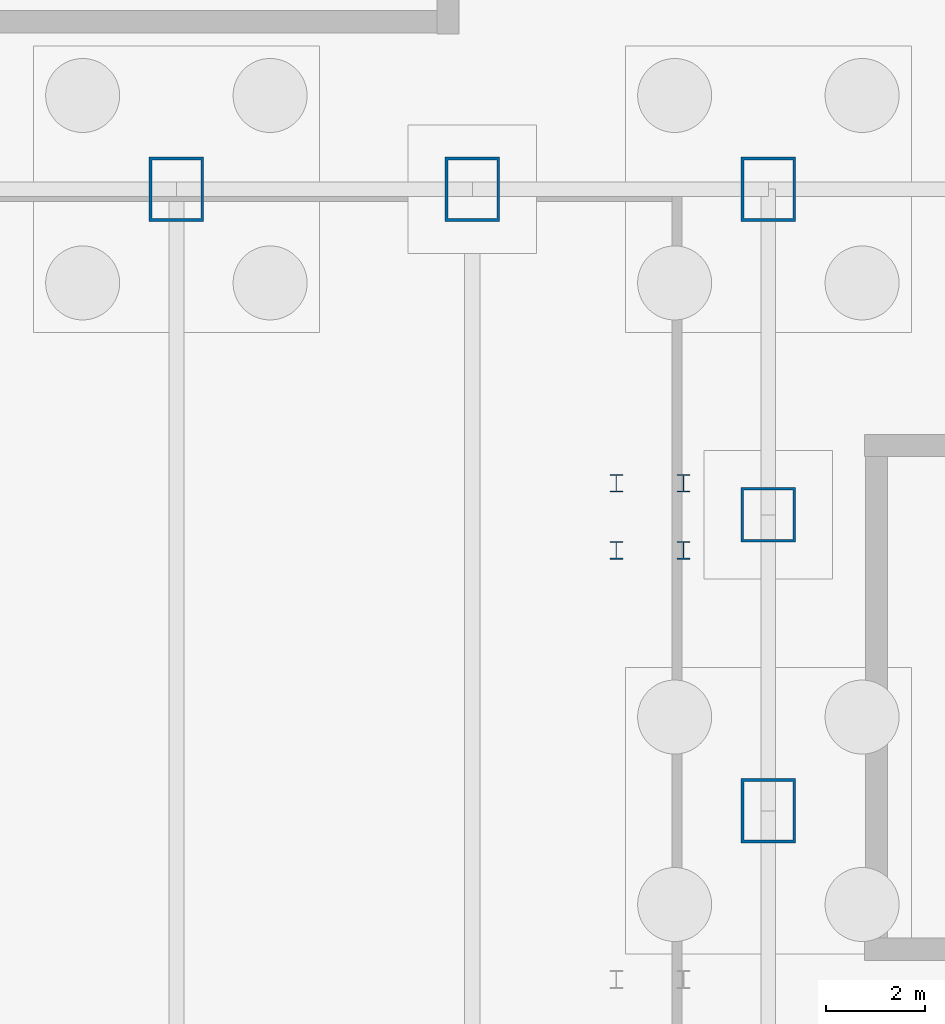
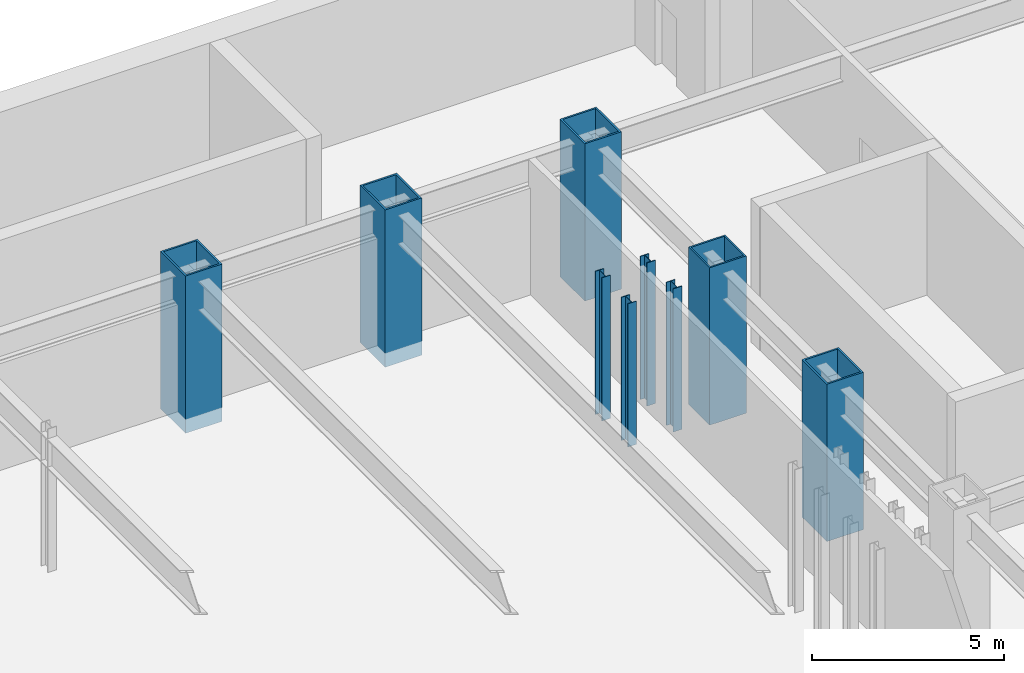
# One storey, part 6 of 17: 9 columns.
"""IFC4 building model written with IfcOpenShell, lengths in metres."""

from ifc_helpers import new_model, si_unit, derived_unit, direction, frame, origin, origin_2d, place, context, subcontext, project, spatial, hollow_rectangle, i_section, extrude, source, transform, mapped, material, material_profile, profile_set, type_object, element, save


model = new_model("IFC4")

# Units and contexts
model_context = context("Model", 3, precision=1e-05, world=origin(), true_north=direction((0.0, 1.0)))
body_context = subcontext(model_context, "Body", "Model", "MODEL_VIEW")
ifc_project = project(units=[si_unit("LENGTHUNIT", "METRE"), si_unit("AREAUNIT", "SQUARE_METRE"), si_unit("VOLUMEUNIT", "CUBIC_METRE"), si_unit("PLANEANGLEUNIT", "RADIAN"), si_unit("MASSUNIT", "GRAM", prefix="KILO"), derived_unit("THERMALTRANSMITTANCEUNIT", [(si_unit("POWERUNIT", "WATT"), 1), (si_unit("LENGTHUNIT", "METRE"), -2), (si_unit("THERMODYNAMICTEMPERATUREUNIT", "KELVIN"), -1)])], contexts=[model_context])

# Site, building, storey
site_placement = place(None, origin())
site = spatial("IfcSite", under=ifc_project, at=site_placement, CompositionType="ELEMENT")
building_placement = place(site_placement, origin())
building = spatial("IfcBuilding", under=site, at=building_placement, Name="Skarnbrae Concourse Arena and Tower", CompositionType="ELEMENT")
storey_placement = place(building_placement, frame((0.0, 0.0, -10.0)))
storey = spatial("IfcBuildingStorey", under=building, at=storey_placement, Name="B02", CompositionType="ELEMENT", Elevation=-10.0)

# Columns
ifc_material = material(Name="Steel CSA G40.21 350W", Category="steel")
ifc_material_profile_1 = material_profile(ifc_material, hollow_rectangle(XDim=1.10009765625, YDim=1.10009765625, WallThickness=0.050048828125, at=origin_2d()), Name="BOX1100X1100X50")
ifc_profile_set_1 = profile_set([ifc_material_profile_1], Name="Steel CSA G40.21 350W")
column_type_1 = type_object("IfcColumnType", Name="COL-MEGA-BOX1100", PredefinedType="PILASTER", material=ifc_profile_set_1)
shared_shape_1 = source(origin(), body_context, "Body", "SweptSolid", [
    extrude(hollow_rectangle(XDim=1.10009765625, YDim=1.10009765625, WallThickness=0.050048828125, at=origin_2d()), origin(), (0.0, 0.0, 1.0), 5.0),
])
column_placement = place(storey_placement, frame((61.0, 40.39990234375, 0.0), z_axis=(0.0, 0.0, 1.0), x_axis=(1.0, 0.0, 0.0)))
element("IfcColumn", 1, at=column_placement, inside=storey, type_object=column_type_1, Name="B02 Podium mega-column MC-E4", PredefinedType="PILASTER", context=body_context, shape_type="MappedRepresentation", body=[
    mapped(shared_shape_1, transform((0.0, 0.0, 0.0))),
])
ifc_material_profile_2 = material_profile(ifc_material, hollow_rectangle(XDim=1.10009765625, YDim=1.300048828125, WallThickness=0.054931640625, at=origin_2d()), Name="BOX1300X1100X55")
ifc_profile_set_2 = profile_set([ifc_material_profile_2], Name="Steel CSA G40.21 350W")
column_type_2 = type_object("IfcColumnType", Name="COL-MEGA-BOX1300", PredefinedType="PILASTER", material=ifc_profile_set_2)
shared_shape_2 = source(origin(), body_context, "Body", "SweptSolid", [
    extrude(hollow_rectangle(XDim=1.10009765625, YDim=1.300048828125, WallThickness=0.054931640625, at=origin_2d()), origin(), (0.0, 0.0, 1.0), 5.0),
])
for number, where, z_axis, x_axis, name in (
    (2, (49.0, 47.0, 0.0), (0.0, 0.0, 1.0), (1.0, 0.0, 0.0), "B02 Podium mega-column MC-N8"),
    (3, (55.0, 47.0, 0.0), (0.0, 0.0, 1.0), (1.0, 0.0, 0.0), "B02 Podium mega-column MC-N9"),
    (4, (61.0, 47.0, 0.0), (0.0, 0.0, 1.0), (1.0, 0.0, 0.0), "B02 Podium mega-column MC-N10"),
    (5, (61.0, 34.39990234375, 0.0), (0.0, 0.0, 1.0), (1.0, 0.0, 0.0), "B02 Podium mega-column MC-E3"),
):
    element("IfcColumn", number, at=place(storey_placement, frame(where, z_axis=z_axis, x_axis=x_axis)), inside=storey, type_object=column_type_2, Name=name, PredefinedType="PILASTER", context=body_context, shape_type="MappedRepresentation", body=[
        mapped(shared_shape_2, transform((0.0, 0.0, 0.0))),
    ])
ifc_material_profile_3 = material_profile(ifc_material, i_section(OverallWidth=0.257080078125, OverallDepth=0.363037109375, WebThickness=0.012939453125, FlangeThickness=0.021728515625, at=origin_2d()), Name="W360X122")
ifc_profile_set_3 = profile_set([ifc_material_profile_3], Name="Steel CSA G40.21 350W")
column_type_3 = type_object("IfcColumnType", Name="COL-POD-W360X122", PredefinedType="COLUMN", material=ifc_profile_set_3)
shared_shape_3 = source(origin(), body_context, "Body", "SweptSolid", [
    extrude(i_section(OverallWidth=0.257080078125, OverallDepth=0.363037109375, WebThickness=0.012939453125, FlangeThickness=0.021728515625, at=origin_2d()), origin(), (0.0, 0.0, 1.0), 4.550048828125),
])
for number, where, z_axis, x_axis, name in (
    (6, (57.919921875, 39.679931640625, 0.449951171875), (0.0, 0.0, 1.0), (1.0, 0.0, 0.0), "B02 Concourse stair ST-CONC-3-L01 TOP post 11"),
    (7, (57.919921875, 41.0400390625, 0.449951171875), (0.0, 0.0, 1.0), (1.0, 0.0, 0.0), "B02 Concourse stair ST-CONC-3-L01 TOP post 12"),
    (8, (59.280029296875, 39.679931640625, 0.449951171875), (0.0, 0.0, 1.0), (1.0, 0.0, 0.0), "B02 Concourse stair ST-CONC-3-L01 TOP post 21"),
    (9, (59.280029296875, 41.0400390625, 0.449951171875), (0.0, 0.0, 1.0), (1.0, 0.0, 0.0), "B02 Concourse stair ST-CONC-3-L01 TOP post 22"),
):
    element("IfcColumn", number, at=place(storey_placement, frame(where, z_axis=z_axis, x_axis=x_axis)), inside=storey, type_object=column_type_3, Name=name, PredefinedType="COLUMN", context=body_context, shape_type="MappedRepresentation", body=[
        mapped(shared_shape_3, transform((0.0, 0.0, 0.0))),
    ])

save(model, "model.ifc")
